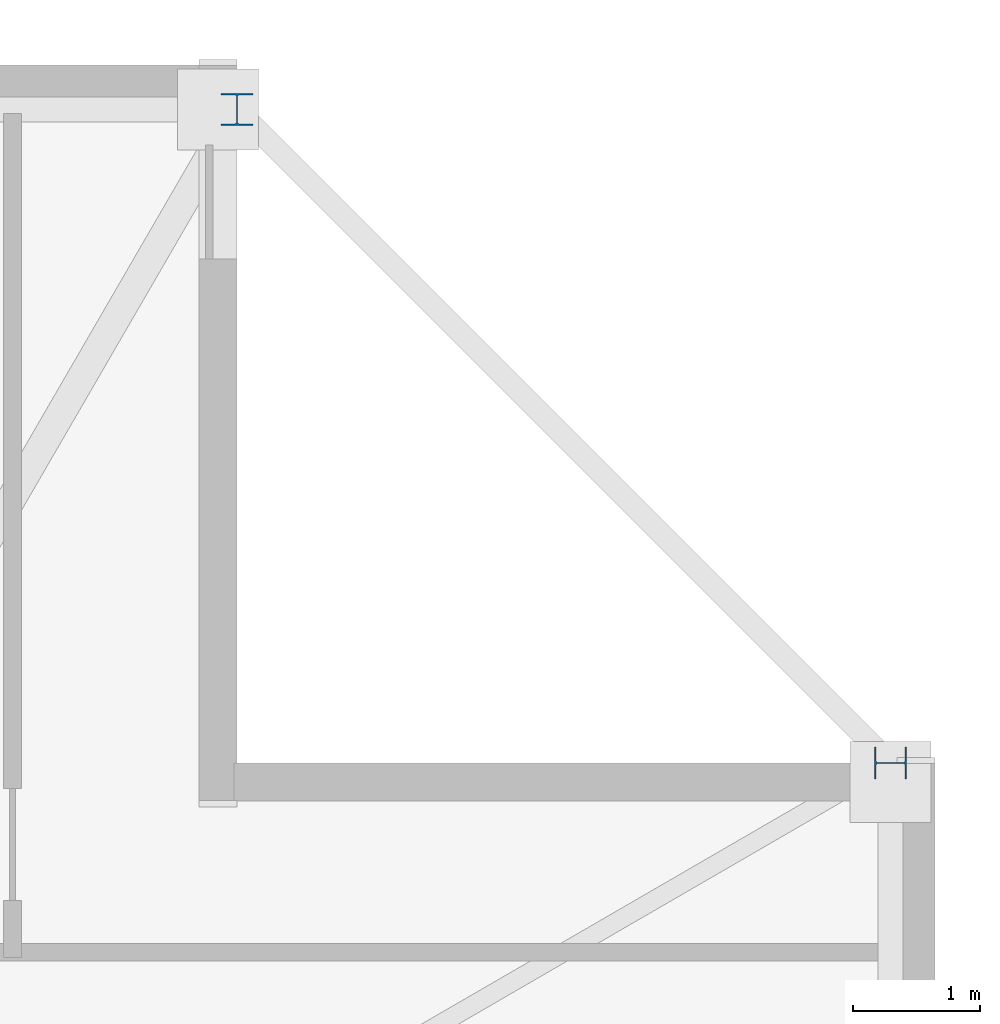
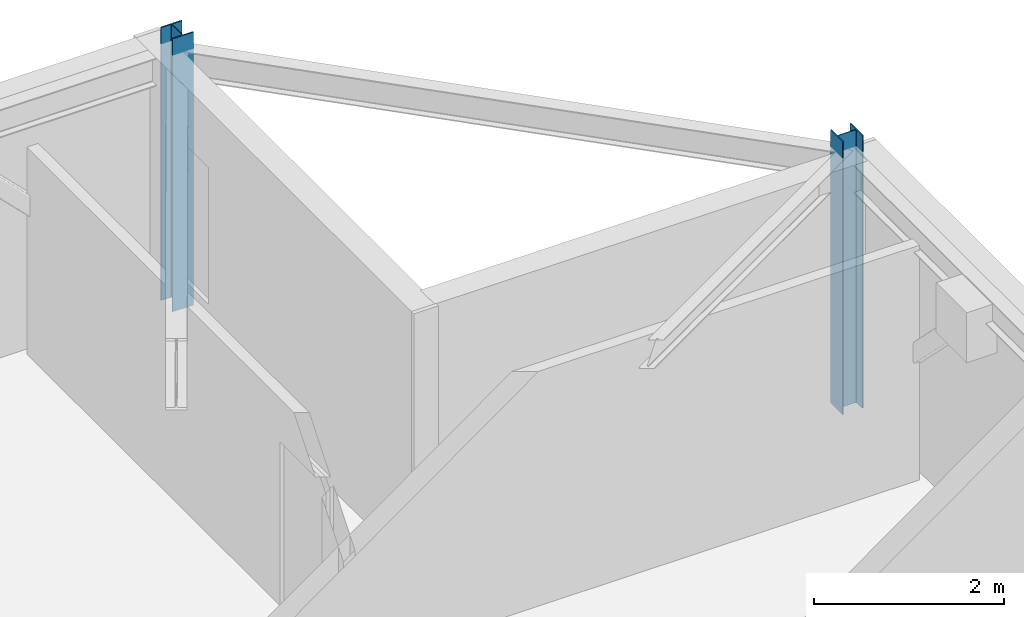
# One storey, part 5 of 15: 2 columns.
"""IFC4 building model written with IfcOpenShell, lengths in metres."""

from ifc_helpers import new_model, si_unit, direction, frame, origin, origin_2d, place, context, subcontext, project, spatial, i_section, extrude, material, material_profile, profile_set, type_object, element, save


model = new_model("IFC4")

# Units and contexts
model_context = context("Model", 3, precision=1e-05, world=origin(), true_north=direction((0.0, 1.0)))
body_context = subcontext(model_context, "Body", "Model", "MODEL_VIEW")
ifc_project = project(units=[si_unit("LENGTHUNIT", "METRE"), si_unit("AREAUNIT", "SQUARE_METRE"), si_unit("VOLUMEUNIT", "CUBIC_METRE"), si_unit("PLANEANGLEUNIT", "RADIAN"), si_unit("MASSUNIT", "GRAM", prefix="KILO")], contexts=[model_context])

# Site, building, storey
site_placement = place(None, origin())
site = spatial("IfcSite", under=ifc_project, at=site_placement, CompositionType="ELEMENT")
building_placement = place(site_placement, origin())
building = spatial("IfcBuilding", under=site, at=building_placement, Name="Cairnveth Concourse Tower", CompositionType="ELEMENT")
storey_placement = place(building_placement, frame((0.0, 0.0, 291.0)))
storey = spatial("IfcBuildingStorey", under=building, at=storey_placement, Name="L80", CompositionType="ELEMENT", Elevation=291.0)

# Columns
ifc_material = material(Name="Steel Grade 350", Category="steel")
ifc_material_profile = material_profile(ifc_material, i_section(OverallWidth=0.25390625, OverallDepth=0.25390625, WebThickness=0.008544921875, FlangeThickness=0.01416015625, FilletRadius=0.012939453125, at=origin_2d()), Name="250UC72.9")
ifc_profile_set = profile_set([ifc_material_profile], Name="Steel Grade 350")
column_type = type_object("IfcColumnType", Name="UNIVERSAL STEEL COLUMN 250UC72.9", PredefinedType="COLUMN", material=ifc_profile_set)
for number, where, z_axis, x_axis, name in (
    (1, (72.64990234375, 54.5, 0.0), (0.0, 0.0, 1.0), (0.0, 1.0, 0.0), "Column P-E4 L80"),
    (2, (67.5, 59.64990234375, 0.0), (0.0, 0.0, 1.0), (1.0, 0.0, 0.0), "Column P-N1 L80"),
):
    element("IfcColumn", number, at=place(storey_placement, frame(where, z_axis=z_axis, x_axis=x_axis)), inside=storey, type_object=column_type, Name=name, PredefinedType="COLUMN", context=body_context, shape_type="SweptSolid", body=[
        extrude(i_section(OverallWidth=0.25390625, OverallDepth=0.25390625, WebThickness=0.008544921875, FlangeThickness=0.01416015625, FilletRadius=0.012939453125, at=origin_2d()), origin(), (0.0, 0.0, 1.0), 3.5),
    ])

save(model, "model.ifc")
